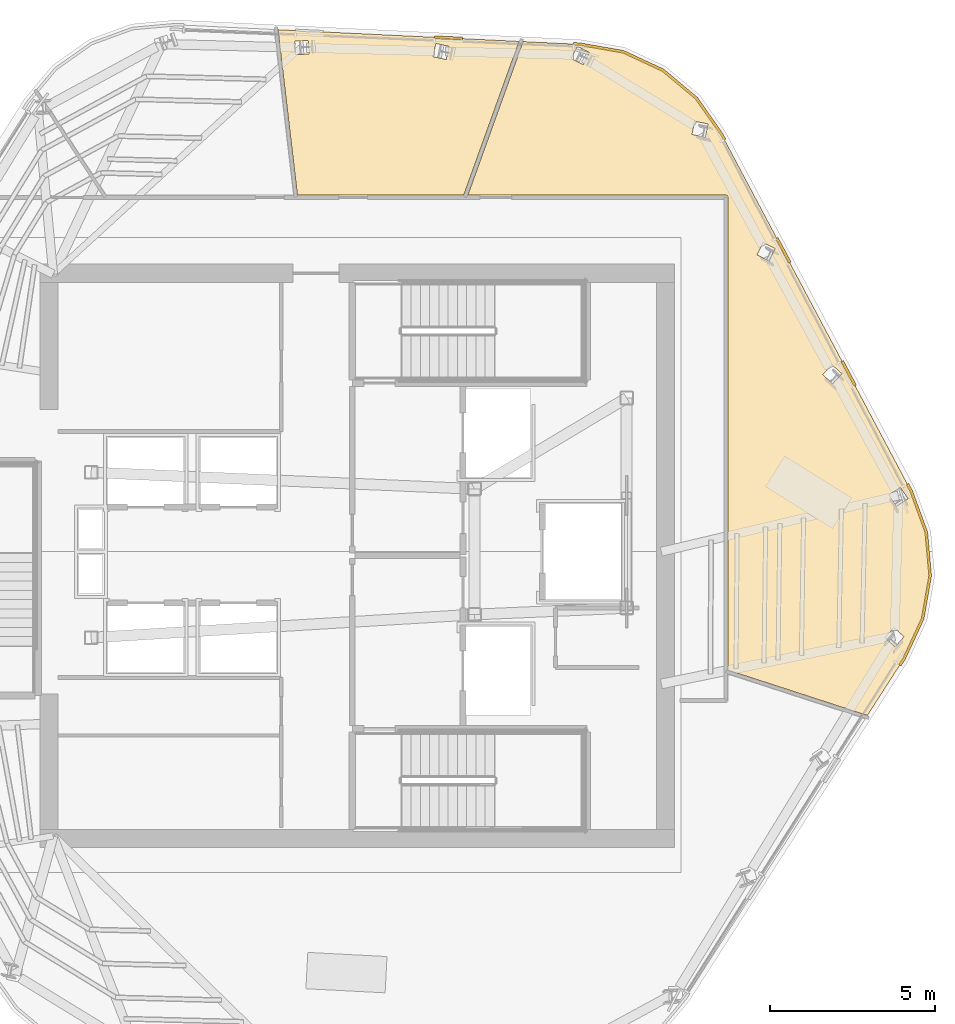
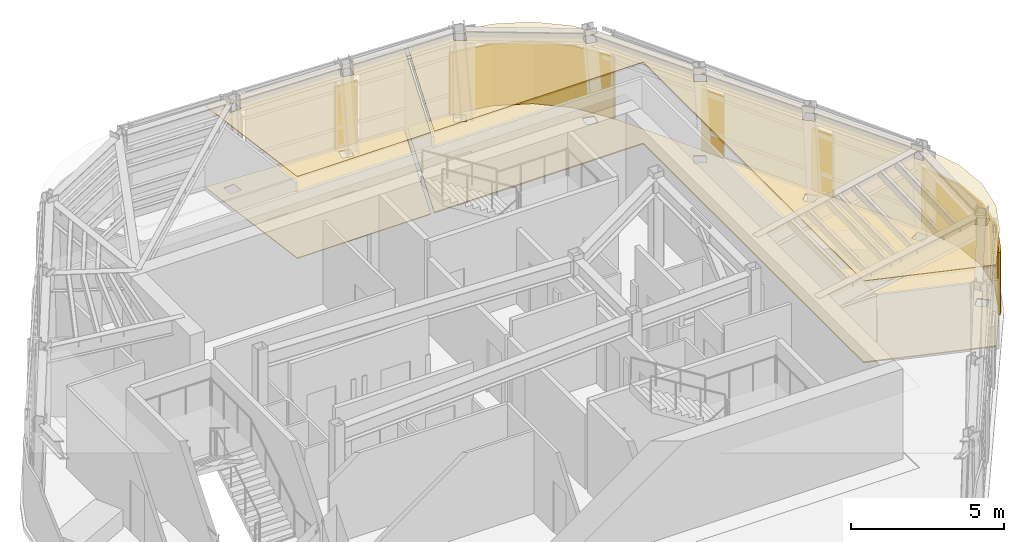
# One storey, part 12 of 13: 9 coverings.
"""IFC4 building model written with IfcOpenShell, lengths in metres."""

from ifc_helpers import new_model, si_unit, direction, frame, origin, place, context, subcontext, project, spatial, polyline, outline, extrude, material, layer, layer_set, type_object, element, save


model = new_model("IFC4")

# Units and contexts
model_context = context("Model", 3, precision=1e-05, world=origin(), true_north=direction((0.0, 1.0)))
body_context = subcontext(model_context, "Body", "Model", "MODEL_VIEW")
ifc_project = project(units=[si_unit("LENGTHUNIT", "METRE"), si_unit("AREAUNIT", "SQUARE_METRE"), si_unit("VOLUMEUNIT", "CUBIC_METRE"), si_unit("PLANEANGLEUNIT", "RADIAN"), si_unit("MASSUNIT", "GRAM", prefix="KILO")], contexts=[model_context])

# Site, building, storey
site_placement = place(None, origin())
site = spatial("IfcSite", under=ifc_project, at=site_placement, CompositionType="ELEMENT")
building_placement = place(site_placement, origin())
building = spatial("IfcBuilding", under=site, at=building_placement, Name="Valkerne Bourse Tower", CompositionType="ELEMENT")
storey_placement = place(building_placement, frame((0.0, 0.0, 273.60009765625)))
storey = spatial("IfcBuildingStorey", under=building, at=storey_placement, Name="L69", CompositionType="ELEMENT", Elevation=273.60009765625)

# Coverings
ifc_material_1 = material(Name="Mineral Fiber Acoustic Ceiling Tile", Category="acoustic")
ifc_layer_1 = layer(ifc_material_1, 0.02490234375)
ifc_layer_set_1 = layer_set([ifc_layer_1], Name="Mineral Fiber Acoustic Ceiling Tile")
covering_type_1 = type_object("IfcCoveringType", Name="COV-CEIL-ACT", PredefinedType="CEILING", material=ifc_layer_set_1)
covering_1_placement = place(storey_placement, frame((0.0, 0.0, 3.25)))
element("IfcCovering", 1, at=covering_1_placement, inside=storey, type_object=covering_type_1, Name="L69 Suspended Ceiling 03", PredefinedType="CEILING", context=body_context, shape_type="SweptSolid", body=[
    extrude(outline(polyline([(44.991943359375, 37.7890625), (44.404296875, 42.792236328125), (51.695556640625, 42.4384765625), (50.021484375, 37.7890625), (44.991943359375, 37.7890625)]), holes=[polyline([(45.340087890625, 42.060302734375), (45.34228515625, 42.060546875), (45.317138671875, 42.468994140625), (44.912109375, 42.444091796875), (44.909912109375, 42.44384765625), (44.93505859375, 42.035400390625), (45.340087890625, 42.060302734375)]), polyline([(49.5791015625, 42.289306640625), (49.182373046875, 42.37548828125), (49.18017578125, 42.3759765625), (49.093505859375, 41.975830078125), (49.490234375, 41.889892578125), (49.492431640625, 41.889404296875), (49.5791015625, 42.289306640625)])]), origin(), (0.0, 0.0, 1.0), 0.02490234375),
])
covering_2_placement = place(storey_placement, frame((0.0, 0.0, 3.25)))
element("IfcCovering", 2, at=covering_2_placement, inside=storey, type_object=covering_type_1, Name="L69 Suspended Ceiling 05", PredefinedType="CEILING", context=body_context, shape_type="SweptSolid", body=[
    extrude(outline(polyline([(63.901611328125, 24.973876953125), (63.34228515625, 23.768798828125), (62.233642578125, 22.04736328125), (58.01904296875, 23.416748046875), (58.015380859375, 37.742919921875), (57.99072265625, 37.77587890625), (57.95068359375, 37.7890625), (50.14697265625, 37.7890625), (51.818603515625, 42.4326171875), (53.53662109375, 42.34912109375), (54.84619140625, 42.12060546875), (56.043212890625, 41.56494140625), (57.055419921875, 40.718505859375), (57.820068359375, 39.630615234375), (63.554443359375, 28.835693359375), (64.010986328125, 27.587890625), (64.12841796875, 26.273681640625), (63.901611328125, 24.973876953125)]), holes=[polyline([(63.342529296875, 24.42822265625), (63.0390625, 24.69873046875), (62.7666015625, 24.394287109375), (62.76611328125, 24.391845703125), (63.069580078125, 24.121337890625), (63.342041015625, 24.42578125), (63.342529296875, 24.42822265625)]), polyline([(63.45703125, 28.604736328125), (63.233642578125, 28.947021484375), (62.892822265625, 28.725341796875), (62.89306640625, 28.722900390625), (63.116455078125, 28.380859375), (63.457275390625, 28.602294921875), (63.45703125, 28.604736328125)]), polyline([(61.461181640625, 32.384033203125), (61.158447265625, 32.658447265625), (60.885009765625, 32.357666015625), (60.885498046875, 32.35546875), (61.1884765625, 32.0810546875), (61.4619140625, 32.382080078125), (61.461181640625, 32.384033203125)]), polyline([(59.44482421875, 36.167724609375), (59.078857421875, 36.349365234375), (58.8974609375, 35.985595703125), (58.898681640625, 35.983642578125), (59.2646484375, 35.802001953125), (59.4462890625, 36.166015625), (59.44482421875, 36.167724609375)]), polyline([(57.410888671875, 39.93994140625), (57.0107421875, 40.02294921875), (56.927490234375, 39.625), (56.929443359375, 39.623291015625), (57.329345703125, 39.54052734375), (57.41259765625, 39.9384765625), (57.410888671875, 39.93994140625)]), polyline([(53.45947265625, 42.287109375), (53.457275390625, 42.2880859375), (53.27197265625, 41.923095703125), (53.6337890625, 41.7392578125), (53.6357421875, 41.73828125), (53.8212890625, 42.103271484375), (53.45947265625, 42.287109375)])]), origin(), (0.0, 0.0, 1.0), 0.02490234375),
])
ifc_material_2 = material(Name="Bronze Anodised Aluminium AA 6063-T6", Category="aluminium")
ifc_layer_2 = layer(ifc_material_2, 0.06005859375)
ifc_layer_set_2 = layer_set([ifc_layer_2], Name="Bronze Anodised Aluminium AA 6063-T6")
covering_type_2 = type_object("IfcCoveringType", Name="COV-CRN-ALUM", PredefinedType="CLADDING", material=ifc_layer_set_2)
covering_3_placement = place(storey_placement, origin())
element("IfcCovering", 3, at=covering_3_placement, inside=storey, type_object=covering_type_2, Name="L69 Wind-Shaped Corner Aluminium Cladding 01", PredefinedType="CLADDING", context=body_context, shape_type="SweptSolid", body=[
    extrude(outline(polyline([(64.054443359375, 27.59765625), (64.172607421875, 26.271728515625), (63.94384765625, 24.960693359375), (63.380859375, 23.747314453125), (63.250732421875, 23.54541015625), (63.18310546875, 23.58837890625), (63.310546875, 23.7861328125), (63.866943359375, 24.984619140625), (64.092041015625, 26.275146484375), (63.9755859375, 27.580078125), (63.521484375, 28.821044921875), (63.4111328125, 29.02880859375), (63.482177734375, 29.06591796875), (63.5947265625, 28.853759765625), (64.054443359375, 27.59765625)])), origin(), (0.0, 0.0, 1.0), 2.5),
])
covering_4_placement = place(storey_placement, origin())
element("IfcCovering", 4, at=covering_4_placement, inside=storey, type_object=covering_type_2, Name="L69 Wind-Shaped Corner Aluminium Cladding 15", PredefinedType="CLADDING", context=body_context, shape_type="SweptSolid", body=[
    extrude(outline(polyline([(49.980712890625, 42.565673828125), (49.977294921875, 42.48583984375), (49.13818359375, 42.526611328125), (49.1416015625, 42.6064453125), (49.980712890625, 42.565673828125)])), origin(), (0.0, 0.0, 1.0), 2.5),
])
covering_5_placement = place(storey_placement, origin())
element("IfcCovering", 5, at=covering_5_placement, inside=storey, type_object=covering_type_2, Name="L69 Wind-Shaped Corner Aluminium Cladding 16", PredefinedType="CLADDING", context=body_context, shape_type="SweptSolid", body=[
    extrude(outline(polyline([(53.54150390625, 42.392822265625), (54.859619140625, 42.162841796875), (56.06689453125, 41.602294921875), (57.088134765625, 40.74853515625), (57.857666015625, 39.65380859375), (57.947998046875, 39.4833984375), (57.877197265625, 39.4462890625), (57.789306640625, 39.61181640625), (57.02880859375, 40.69384765625), (56.023681640625, 41.5341796875), (54.83544921875, 42.0859375), (53.53271484375, 42.313232421875), (53.345458984375, 42.322265625), (53.3486328125, 42.40234375), (53.54150390625, 42.392822265625)])), origin(), (0.0, 0.0, 1.0), 2.5),
])
covering_6_placement = place(storey_placement, origin())
element("IfcCovering", 6, at=covering_6_placement, inside=storey, type_object=covering_type_2, Name="L69 Wind-Shaped Corner Aluminium Cladding 17", PredefinedType="CLADDING", context=body_context, shape_type="SweptSolid", body=[
    extrude(outline(polyline([(59.924072265625, 35.763671875), (59.853271484375, 35.7265625), (59.458984375, 36.468505859375), (59.530029296875, 36.505615234375), (59.924072265625, 35.763671875)])), origin(), (0.0, 0.0, 1.0), 2.5),
])
covering_7_placement = place(storey_placement, origin())
element("IfcCovering", 7, at=covering_7_placement, inside=storey, type_object=covering_type_2, Name="L69 Wind-Shaped Corner Aluminium Cladding 18", PredefinedType="CLADDING", context=body_context, shape_type="SweptSolid", body=[
    extrude(outline(polyline([(61.900146484375, 32.043701171875), (61.8291015625, 32.006591796875), (61.43505859375, 32.74853515625), (61.506103515625, 32.78564453125), (61.900146484375, 32.043701171875)])), origin(), (0.0, 0.0, 1.0), 2.5),
])
ifc_material_3 = material(Name="Galvanised Painted Steel", Category="steel")
ifc_layer_3 = layer(ifc_material_3, 0.044921875)
ifc_layer_set_3 = layer_set([ifc_layer_3], Name="Galvanised Painted Steel")
covering_type_3 = type_object("IfcCoveringType", Name="COV-FLR-RAF", PredefinedType="FLOORING", material=ifc_layer_set_3)
covering_8_placement = place(storey_placement, origin())
element("IfcCovering", 8, at=covering_8_placement, inside=storey, type_object=covering_type_3, Name="L69 Floor Finish 05", PredefinedType="FLOORING", context=body_context, shape_type="SweptSolid", body=[
    extrude(outline(polyline([(63.901611328125, 24.973876953125), (63.34228515625, 23.768798828125), (62.233642578125, 22.04736328125), (58.01904296875, 23.416748046875), (58.015380859375, 37.742919921875), (57.99072265625, 37.77587890625), (57.95068359375, 37.7890625), (50.14697265625, 37.7890625), (51.818603515625, 42.4326171875), (53.53662109375, 42.34912109375), (54.84619140625, 42.12060546875), (56.043212890625, 41.56494140625), (57.055419921875, 40.718505859375), (57.820068359375, 39.630615234375), (63.554443359375, 28.835693359375), (64.010986328125, 27.587890625), (64.12841796875, 26.273681640625), (63.901611328125, 24.973876953125)]), holes=[polyline([(63.342529296875, 24.42822265625), (63.0390625, 24.69873046875), (62.7666015625, 24.394287109375), (62.76611328125, 24.391845703125), (63.069580078125, 24.121337890625), (63.342041015625, 24.42578125), (63.342529296875, 24.42822265625)]), polyline([(63.45703125, 28.604736328125), (63.233642578125, 28.947021484375), (62.892822265625, 28.725341796875), (62.89306640625, 28.722900390625), (63.116455078125, 28.380859375), (63.457275390625, 28.602294921875), (63.45703125, 28.604736328125)]), polyline([(61.461181640625, 32.384033203125), (61.158447265625, 32.658447265625), (60.885009765625, 32.357666015625), (60.885498046875, 32.35546875), (61.1884765625, 32.0810546875), (61.4619140625, 32.382080078125), (61.461181640625, 32.384033203125)]), polyline([(59.44482421875, 36.167724609375), (59.078857421875, 36.349365234375), (58.8974609375, 35.985595703125), (58.898681640625, 35.983642578125), (59.2646484375, 35.802001953125), (59.4462890625, 36.166015625), (59.44482421875, 36.167724609375)]), polyline([(57.410888671875, 39.93994140625), (57.0107421875, 40.02294921875), (56.927490234375, 39.625), (56.929443359375, 39.623291015625), (57.329345703125, 39.54052734375), (57.41259765625, 39.9384765625), (57.410888671875, 39.93994140625)]), polyline([(53.45947265625, 42.287109375), (53.457275390625, 42.2880859375), (53.27197265625, 41.923095703125), (53.6337890625, 41.7392578125), (53.6357421875, 41.73828125), (53.8212890625, 42.103271484375), (53.45947265625, 42.287109375)])]), origin(), (0.0, 0.0, 1.0), 0.044921875),
])
ifc_material_4 = material(Name="Polished Granite Stone", Category="masonry")
ifc_layer_4 = layer(ifc_material_4, 0.030029296875)
ifc_layer_set_4 = layer_set([ifc_layer_4], Name="Polished Granite Stone")
covering_type_4 = type_object("IfcCoveringType", Name="COV-FLR-TERRAZZO", PredefinedType="FLOORING", material=ifc_layer_set_4)
covering_9_placement = place(storey_placement, origin())
element("IfcCovering", 9, at=covering_9_placement, inside=storey, type_object=covering_type_4, Name="L69 Floor Finish 03", PredefinedType="FLOORING", context=body_context, shape_type="SweptSolid", body=[
    extrude(outline(polyline([(44.991943359375, 37.7890625), (44.404296875, 42.792236328125), (51.695556640625, 42.4384765625), (50.021484375, 37.7890625), (44.991943359375, 37.7890625)]), holes=[polyline([(45.340087890625, 42.060302734375), (45.34228515625, 42.060546875), (45.317138671875, 42.468994140625), (44.912109375, 42.444091796875), (44.909912109375, 42.44384765625), (44.93505859375, 42.035400390625), (45.340087890625, 42.060302734375)]), polyline([(49.5791015625, 42.289306640625), (49.182373046875, 42.37548828125), (49.18017578125, 42.3759765625), (49.093505859375, 41.975830078125), (49.490234375, 41.889892578125), (49.492431640625, 41.889404296875), (49.5791015625, 42.289306640625)])]), origin(), (0.0, 0.0, 1.0), 0.02978515625),
])

save(model, "model.ifc")
